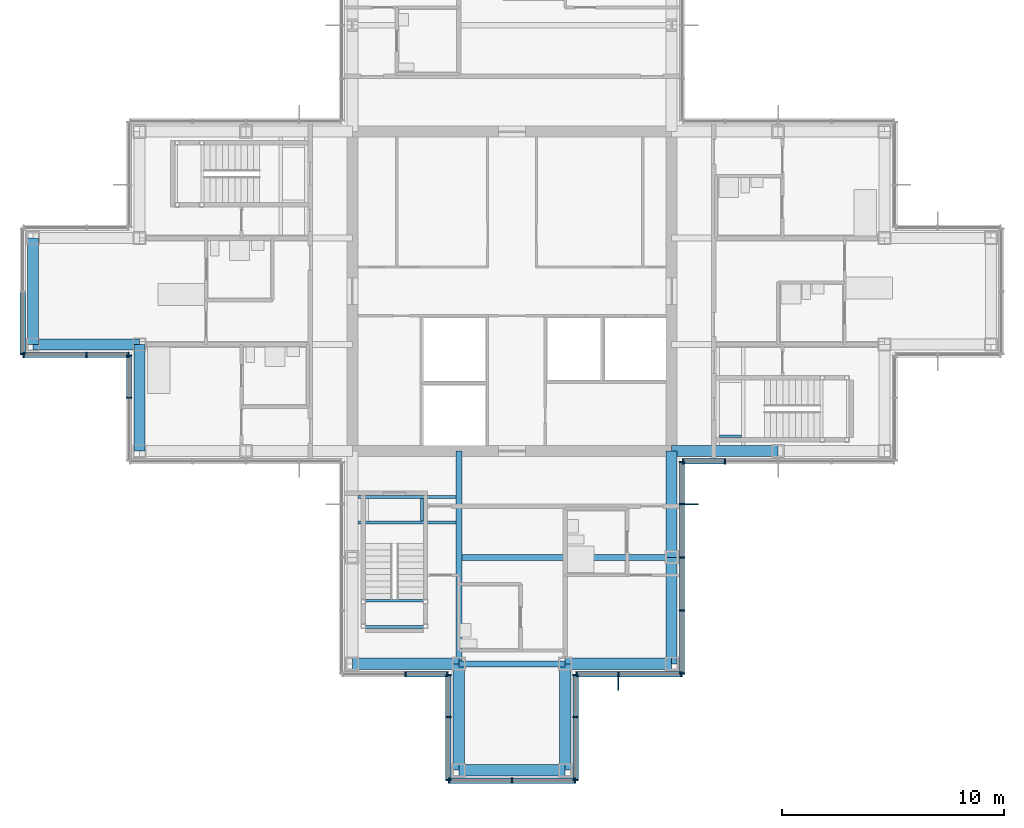
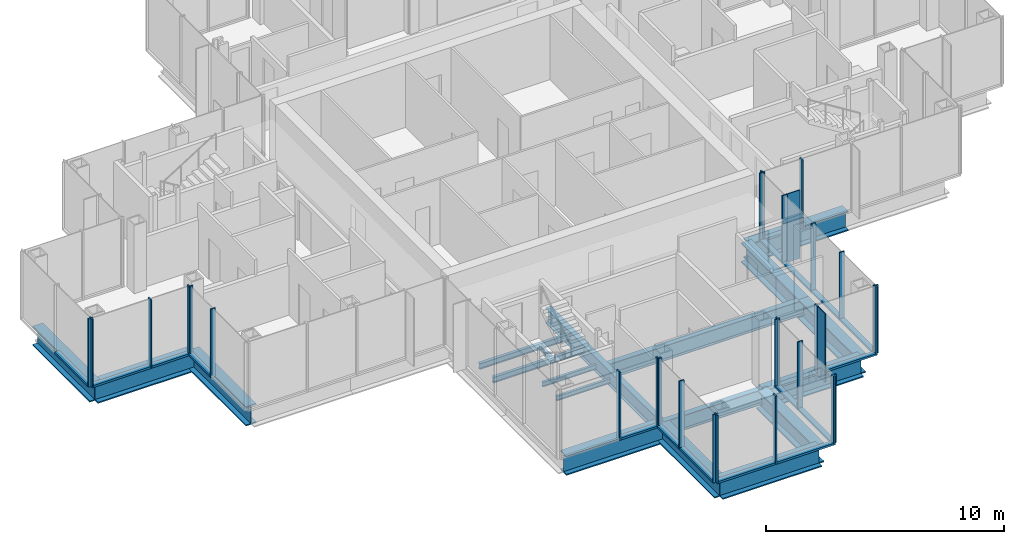
# One storey, part 6 of 17: 47 members, 20 beams, 10 elements without a shape of their own.
"""IFC4 building model written with IfcOpenShell, lengths in metres."""

from ifc_helpers import new_model, si_unit, direction, frame, origin, origin_2d, place, context, subcontext, project, spatial, rectangle, i_section, extrude, material, material_profile, profile_set, type_object, element, aggregate, save


model = new_model("IFC4")

# Units and contexts
model_context = context("Model", 3, precision=1e-05, world=origin(), true_north=direction((0.0, 1.0)))
body_context = subcontext(model_context, "Body", "Model", "MODEL_VIEW")
ifc_project = project(units=[si_unit("LENGTHUNIT", "METRE"), si_unit("AREAUNIT", "SQUARE_METRE"), si_unit("VOLUMEUNIT", "CUBIC_METRE"), si_unit("PLANEANGLEUNIT", "RADIAN"), si_unit("MASSUNIT", "GRAM", prefix="KILO")], contexts=[model_context])

# Site, building, storey
site_placement = place(None, origin())
site = spatial("IfcSite", under=ifc_project, at=site_placement, CompositionType="ELEMENT")
building_placement = place(site_placement, origin())
building = spatial("IfcBuilding", under=site, at=building_placement, Name="Kvirike Care Tower", CompositionType="ELEMENT")
storey_placement = place(building_placement, frame((0.0, 0.0, 169.0)))
storey = spatial("IfcBuildingStorey", under=building, at=storey_placement, Name="L46", CompositionType="ELEMENT", Elevation=169.0)

# Curtain wall, member
ifc_material_1 = material(Name="Anodised aluminium stick system", Category="aluminium")
curtain_wall_type = type_object("IfcCurtainWallType", Name="CW-C STICK CURTAIN WALL", PredefinedType="NOTDEFINED", material=ifc_material_1)
curtain_wall_1_placement = place(storey_placement, origin())
curtain_wall_1 = element("IfcCurtainWall", 1, at=curtain_wall_1_placement, inside=storey, type_object=curtain_wall_type, Name="Curtain wall L46 face 27", PredefinedType="NOTDEFINED")
ifc_material_2 = material(Name="Bronze anodised aluminium fin", Category="aluminium")
ifc_material_profile_1 = material_profile(ifc_material_2, rectangle(XDim=0.050048828125, YDim=0.60009765625, at=origin_2d()), Name="BRONZE FIN 600")
ifc_profile_set_1 = profile_set([ifc_material_profile_1], Name="Bronze anodised aluminium fin")
member_type_1 = type_object("IfcMemberType", Name="BRONZE FIN 600", PredefinedType="USERDEFINED", material=ifc_profile_set_1)
member_1_placement = place(storey_placement, frame((26.39990234375, 18.31005859375, 0.0), z_axis=(0.0, 0.0, 1.0), x_axis=(1.0, 0.0, 0.0)))
member_1 = element("IfcMember", 2, at=member_1_placement, type_object=member_type_1, Name="Bronze fin L46 face 27.2", ObjectType="FIN", PredefinedType="USERDEFINED", context=body_context, shape_type="SweptSolid", body=[
    extrude(rectangle(XDim=0.050048828125, YDim=0.60009765625, at=origin_2d()), origin(), (0.0, 0.0, 1.0), 3.5),
])

curtain_wall_2_placement = place(storey_placement, origin())
curtain_wall_2 = element("IfcCurtainWall", 3, at=curtain_wall_2_placement, inside=storey, type_object=curtain_wall_type, Name="Curtain wall L46 face 28", PredefinedType="NOTDEFINED")
member_2_placement = place(storey_placement, frame((29.68994140625, 26.39990234375, 0.0), z_axis=(0.0, 0.0, 1.0), x_axis=(0.0, 1.0, 0.0)))
member_2 = element("IfcMember", 4, at=member_2_placement, type_object=member_type_1, Name="Bronze fin L46 face 28.4", ObjectType="FIN", PredefinedType="USERDEFINED", context=body_context, shape_type="SweptSolid", body=[
    extrude(rectangle(XDim=0.050048828125, YDim=0.60009765625, at=origin_2d()), origin(), (0.0, 0.0, 1.0), 3.5),
])

# Curtain wall, members
curtain_wall_3_placement = place(storey_placement, origin())
curtain_wall_3 = element("IfcCurtainWall", 5, at=curtain_wall_3_placement, inside=storey, type_object=curtain_wall_type, Name="Curtain wall L46 face 1", PredefinedType="NOTDEFINED")
ifc_material_3 = material(Name="Bronze anodised aluminium mullion", Category="aluminium")
ifc_material_profile_2 = material_profile(ifc_material_3, rectangle(XDim=0.06494140625, YDim=0.239990234375, at=origin_2d()), Name="CW-C MULLION 65x240")
ifc_profile_set_2 = profile_set([ifc_material_profile_2], Name="Bronze anodised aluminium mullion")
member_type_2 = type_object("IfcMemberType", Name="CW-C MULLION 65x240", PredefinedType="MULLION", material=ifc_profile_set_2)
member_3_placement = place(storey_placement, frame((29.302490234375, 28.330078125, 0.0), z_axis=(0.0, 0.0, 1.0), x_axis=(1.0, 0.0, 0.0)))
member_3 = element("IfcMember", 6, at=member_3_placement, type_object=member_type_2, Name="CW-C mullion L46 face 1.1", PredefinedType="MULLION", context=body_context, shape_type="SweptSolid", body=[
    extrude(rectangle(XDim=0.06494140625, YDim=0.239990234375, at=origin_2d()), origin(), (0.0, 0.0, 1.0), 3.5),
])
member_4_placement = place(storey_placement, frame((31.199951171875, 28.330078125, 0.0), z_axis=(0.0, 0.0, 1.0), x_axis=(1.0, 0.0, 0.0)))
member_4 = element("IfcMember", 7, at=member_4_placement, type_object=member_type_2, Name="CW-C mullion L46 face 1.2", PredefinedType="MULLION", context=body_context, shape_type="SweptSolid", body=[
    extrude(rectangle(XDim=0.06494140625, YDim=0.239990234375, at=origin_2d()), origin(), (0.0, 0.0, 1.0), 3.5),
])

# Curtain wall, member
curtain_wall_4_placement = place(storey_placement, origin())
curtain_wall_4 = element("IfcCurtainWall", 8, at=curtain_wall_4_placement, inside=storey, type_object=curtain_wall_type, Name="Curtain wall L46 face 18", PredefinedType="NOTDEFINED")
member_5_placement = place(storey_placement, frame((-0.469970703125, 33.16259765625, 0.0), z_axis=(0.0, 0.0, 1.0), x_axis=(0.0, -1.0, 0.0)))
member_5 = element("IfcMember", 9, at=member_5_placement, type_object=member_type_2, Name="CW-C mullion L46 face 18.3", PredefinedType="MULLION", context=body_context, shape_type="SweptSolid", body=[
    extrude(rectangle(XDim=0.06494140625, YDim=0.239990234375, at=origin_2d()), origin(), (0.0, 0.0, 1.0), 3.5),
])

# Curtain wall, members
curtain_wall_5_placement = place(storey_placement, origin())
curtain_wall_5 = element("IfcCurtainWall", 10, at=curtain_wall_5_placement, inside=storey, type_object=curtain_wall_type, Name="Curtain wall L46 face 19", PredefinedType="NOTDEFINED")
member_6_placement = place(storey_placement, frame((-0.4375, 33.1298828125, 0.0), z_axis=(0.0, 0.0, 1.0), x_axis=(1.0, 0.0, 0.0)))
member_6 = element("IfcMember", 11, at=member_6_placement, type_object=member_type_2, Name="CW-C mullion L46 face 19.1", PredefinedType="MULLION", context=body_context, shape_type="SweptSolid", body=[
    extrude(rectangle(XDim=0.06494140625, YDim=0.239990234375, at=origin_2d()), origin(), (0.0, 0.0, 1.0), 3.5),
])
member_7_placement = place(storey_placement, frame((2.39990234375, 33.1298828125, 0.0), z_axis=(0.0, 0.0, 1.0), x_axis=(1.0, 0.0, 0.0)))
member_7 = element("IfcMember", 12, at=member_7_placement, type_object=member_type_2, Name="CW-C mullion L46 face 19.2", PredefinedType="MULLION", context=body_context, shape_type="SweptSolid", body=[
    extrude(rectangle(XDim=0.06494140625, YDim=0.239990234375, at=origin_2d()), origin(), (0.0, 0.0, 1.0), 3.5),
])
member_8_placement = place(storey_placement, frame((4.297607421875, 33.1298828125, 0.0), z_axis=(0.0, 0.0, 1.0), x_axis=(1.0, 0.0, 0.0)))
member_8 = element("IfcMember", 13, at=member_8_placement, type_object=member_type_2, Name="CW-C mullion L46 face 19.3", PredefinedType="MULLION", context=body_context, shape_type="SweptSolid", body=[
    extrude(rectangle(XDim=0.06494140625, YDim=0.239990234375, at=origin_2d()), origin(), (0.0, 0.0, 1.0), 3.5),
])

curtain_wall_6_placement = place(storey_placement, origin())
curtain_wall_6 = element("IfcCurtainWall", 14, at=curtain_wall_6_placement, inside=storey, type_object=curtain_wall_type, Name="Curtain wall L46 face 20", PredefinedType="NOTDEFINED")
member_9_placement = place(storey_placement, frame((4.330078125, 33.097412109375, 0.0), z_axis=(0.0, 0.0, 1.0), x_axis=(0.0, -1.0, 0.0)))
member_9 = element("IfcMember", 15, at=member_9_placement, type_object=member_type_2, Name="CW-C mullion L46 face 20.1", PredefinedType="MULLION", context=body_context, shape_type="SweptSolid", body=[
    extrude(rectangle(XDim=0.06494140625, YDim=0.239990234375, at=origin_2d()), origin(), (0.0, 0.0, 1.0), 3.5),
])
member_10_placement = place(storey_placement, frame((4.330078125, 31.199951171875, 0.0), z_axis=(0.0, 0.0, 1.0), x_axis=(0.0, -1.0, 0.0)))
member_10 = element("IfcMember", 16, at=member_10_placement, type_object=member_type_2, Name="CW-C mullion L46 face 20.2", PredefinedType="MULLION", context=body_context, shape_type="SweptSolid", body=[
    extrude(rectangle(XDim=0.06494140625, YDim=0.239990234375, at=origin_2d()), origin(), (0.0, 0.0, 1.0), 3.5),
])

curtain_wall_7_placement = place(storey_placement, origin())
curtain_wall_7 = element("IfcCurtainWall", 17, at=curtain_wall_7_placement, inside=storey, type_object=curtain_wall_type, Name="Curtain wall L46 face 23", PredefinedType="NOTDEFINED")
member_11_placement = place(storey_placement, frame((16.800048828125, 18.72998046875, 0.0), z_axis=(0.0, 0.0, 1.0), x_axis=(1.0, 0.0, 0.0)))
member_11 = element("IfcMember", 18, at=member_11_placement, type_object=member_type_2, Name="CW-C mullion L46 face 23.2", PredefinedType="MULLION", context=body_context, shape_type="SweptSolid", body=[
    extrude(rectangle(XDim=0.06494140625, YDim=0.239990234375, at=origin_2d()), origin(), (0.0, 0.0, 1.0), 3.5),
])
member_12_placement = place(storey_placement, frame((18.697509765625, 18.72998046875, 0.0), z_axis=(0.0, 0.0, 1.0), x_axis=(1.0, 0.0, 0.0)))
member_12 = element("IfcMember", 19, at=member_12_placement, type_object=member_type_2, Name="CW-C mullion L46 face 23.3", PredefinedType="MULLION", context=body_context, shape_type="SweptSolid", body=[
    extrude(rectangle(XDim=0.06494140625, YDim=0.239990234375, at=origin_2d()), origin(), (0.0, 0.0, 1.0), 3.5),
])

curtain_wall_8_placement = place(storey_placement, origin())
curtain_wall_8 = element("IfcCurtainWall", 20, at=curtain_wall_8_placement, inside=storey, type_object=curtain_wall_type, Name="Curtain wall L46 face 24", PredefinedType="NOTDEFINED")
member_13_placement = place(storey_placement, frame((18.72998046875, 18.697509765625, 0.0), z_axis=(0.0, 0.0, 1.0), x_axis=(0.0, -1.0, 0.0)))
member_13 = element("IfcMember", 21, at=member_13_placement, type_object=member_type_2, Name="CW-C mullion L46 face 24.1", PredefinedType="MULLION", context=body_context, shape_type="SweptSolid", body=[
    extrude(rectangle(XDim=0.06494140625, YDim=0.239990234375, at=origin_2d()), origin(), (0.0, 0.0, 1.0), 3.5),
])
member_14_placement = place(storey_placement, frame((18.72998046875, 16.800048828125, 0.0), z_axis=(0.0, 0.0, 1.0), x_axis=(0.0, -1.0, 0.0)))
member_14 = element("IfcMember", 22, at=member_14_placement, type_object=member_type_2, Name="CW-C mullion L46 face 24.2", PredefinedType="MULLION", context=body_context, shape_type="SweptSolid", body=[
    extrude(rectangle(XDim=0.06494140625, YDim=0.239990234375, at=origin_2d()), origin(), (0.0, 0.0, 1.0), 3.5),
])
member_15_placement = place(storey_placement, frame((18.72998046875, 13.96240234375, 0.0), z_axis=(0.0, 0.0, 1.0), x_axis=(0.0, -1.0, 0.0)))
member_15 = element("IfcMember", 23, at=member_15_placement, type_object=member_type_2, Name="CW-C mullion L46 face 24.3", PredefinedType="MULLION", context=body_context, shape_type="SweptSolid", body=[
    extrude(rectangle(XDim=0.06494140625, YDim=0.239990234375, at=origin_2d()), origin(), (0.0, 0.0, 1.0), 3.5),
])

curtain_wall_9_placement = place(storey_placement, origin())
curtain_wall_9 = element("IfcCurtainWall", 24, at=curtain_wall_9_placement, inside=storey, type_object=curtain_wall_type, Name="Curtain wall L46 face 25", PredefinedType="NOTDEFINED")
member_16_placement = place(storey_placement, frame((18.762451171875, 13.929931640625, 0.0), z_axis=(0.0, 0.0, 1.0), x_axis=(1.0, 0.0, 0.0)))
member_16 = element("IfcMember", 25, at=member_16_placement, type_object=member_type_2, Name="CW-C mullion L46 face 25.1", PredefinedType="MULLION", context=body_context, shape_type="SweptSolid", body=[
    extrude(rectangle(XDim=0.06494140625, YDim=0.239990234375, at=origin_2d()), origin(), (0.0, 0.0, 1.0), 3.5),
])
member_17_placement = place(storey_placement, frame((21.60009765625, 13.929931640625, 0.0), z_axis=(0.0, 0.0, 1.0), x_axis=(1.0, 0.0, 0.0)))
member_17 = element("IfcMember", 26, at=member_17_placement, type_object=member_type_2, Name="CW-C mullion L46 face 25.2", PredefinedType="MULLION", context=body_context, shape_type="SweptSolid", body=[
    extrude(rectangle(XDim=0.06494140625, YDim=0.239990234375, at=origin_2d()), origin(), (0.0, 0.0, 1.0), 3.5),
])
member_18_placement = place(storey_placement, frame((24.4375, 13.929931640625, 0.0), z_axis=(0.0, 0.0, 1.0), x_axis=(1.0, 0.0, 0.0)))
member_18 = element("IfcMember", 27, at=member_18_placement, type_object=member_type_2, Name="CW-C mullion L46 face 25.3", PredefinedType="MULLION", context=body_context, shape_type="SweptSolid", body=[
    extrude(rectangle(XDim=0.06494140625, YDim=0.239990234375, at=origin_2d()), origin(), (0.0, 0.0, 1.0), 3.5),
])

curtain_wall_10_placement = place(storey_placement, origin())
curtain_wall_10 = element("IfcCurtainWall", 28, at=curtain_wall_10_placement, inside=storey, type_object=curtain_wall_type, Name="Curtain wall L46 face 26", PredefinedType="NOTDEFINED")
member_19_placement = place(storey_placement, frame((24.469970703125, 13.96240234375, 0.0), z_axis=(0.0, 0.0, 1.0), x_axis=(0.0, 1.0, 0.0)))
member_19 = element("IfcMember", 29, at=member_19_placement, type_object=member_type_2, Name="CW-C mullion L46 face 26.1", PredefinedType="MULLION", context=body_context, shape_type="SweptSolid", body=[
    extrude(rectangle(XDim=0.06494140625, YDim=0.239990234375, at=origin_2d()), origin(), (0.0, 0.0, 1.0), 3.5),
])
member_20_placement = place(storey_placement, frame((24.469970703125, 16.800048828125, 0.0), z_axis=(0.0, 0.0, 1.0), x_axis=(0.0, 1.0, 0.0)))
member_20 = element("IfcMember", 30, at=member_20_placement, type_object=member_type_2, Name="CW-C mullion L46 face 26.2", PredefinedType="MULLION", context=body_context, shape_type="SweptSolid", body=[
    extrude(rectangle(XDim=0.06494140625, YDim=0.239990234375, at=origin_2d()), origin(), (0.0, 0.0, 1.0), 3.5),
])
member_21_placement = place(storey_placement, frame((24.469970703125, 18.697509765625, 0.0), z_axis=(0.0, 0.0, 1.0), x_axis=(0.0, 1.0, 0.0)))
member_21 = element("IfcMember", 31, at=member_21_placement, type_object=member_type_2, Name="CW-C mullion L46 face 26.3", PredefinedType="MULLION", context=body_context, shape_type="SweptSolid", body=[
    extrude(rectangle(XDim=0.06494140625, YDim=0.239990234375, at=origin_2d()), origin(), (0.0, 0.0, 1.0), 3.5),
])

# Member
member_22_placement = place(storey_placement, frame((24.50244140625, 18.72998046875, 0.0), z_axis=(0.0, 0.0, 1.0), x_axis=(1.0, 0.0, 0.0)))
member_22 = element("IfcMember", 32, at=member_22_placement, type_object=member_type_2, Name="CW-C mullion L46 face 27.1", PredefinedType="MULLION", context=body_context, shape_type="SweptSolid", body=[
    extrude(rectangle(XDim=0.06494140625, YDim=0.239990234375, at=origin_2d()), origin(), (0.0, 0.0, 1.0), 3.5),
])

member_23_placement = place(storey_placement, frame((26.39990234375, 18.72998046875, 0.0), z_axis=(0.0, 0.0, 1.0), x_axis=(1.0, 0.0, 0.0)))
member_23 = element("IfcMember", 33, at=member_23_placement, type_object=member_type_2, Name="CW-C mullion L46 face 27.2", PredefinedType="MULLION", context=body_context, shape_type="SweptSolid", body=[
    extrude(rectangle(XDim=0.06494140625, YDim=0.239990234375, at=origin_2d()), origin(), (0.0, 0.0, 1.0), 3.5),
])

member_24_placement = place(storey_placement, frame((29.237548828125, 18.72998046875, 0.0), z_axis=(0.0, 0.0, 1.0), x_axis=(1.0, 0.0, 0.0)))
member_24 = element("IfcMember", 34, at=member_24_placement, type_object=member_type_2, Name="CW-C mullion L46 face 27.3", PredefinedType="MULLION", context=body_context, shape_type="SweptSolid", body=[
    extrude(rectangle(XDim=0.06494140625, YDim=0.239990234375, at=origin_2d()), origin(), (0.0, 0.0, 1.0), 3.5),
])

member_25_placement = place(storey_placement, frame((29.27001953125, 18.762451171875, 0.0), z_axis=(0.0, 0.0, 1.0), x_axis=(0.0, 1.0, 0.0)))
member_25 = element("IfcMember", 35, at=member_25_placement, type_object=member_type_2, Name="CW-C mullion L46 face 28.1", PredefinedType="MULLION", context=body_context, shape_type="SweptSolid", body=[
    extrude(rectangle(XDim=0.06494140625, YDim=0.239990234375, at=origin_2d()), origin(), (0.0, 0.0, 1.0), 3.5),
])

member_26_placement = place(storey_placement, frame((29.27001953125, 21.60009765625, 0.0), z_axis=(0.0, 0.0, 1.0), x_axis=(0.0, 1.0, 0.0)))
member_26 = element("IfcMember", 36, at=member_26_placement, type_object=member_type_2, Name="CW-C mullion L46 face 28.2", PredefinedType="MULLION", context=body_context, shape_type="SweptSolid", body=[
    extrude(rectangle(XDim=0.06494140625, YDim=0.239990234375, at=origin_2d()), origin(), (0.0, 0.0, 1.0), 3.5),
])

member_27_placement = place(storey_placement, frame((29.27001953125, 24.0, 0.0), z_axis=(0.0, 0.0, 1.0), x_axis=(0.0, 1.0, 0.0)))
member_27 = element("IfcMember", 37, at=member_27_placement, type_object=member_type_2, Name="CW-C mullion L46 face 28.3", PredefinedType="MULLION", context=body_context, shape_type="SweptSolid", body=[
    extrude(rectangle(XDim=0.06494140625, YDim=0.239990234375, at=origin_2d()), origin(), (0.0, 0.0, 1.0), 3.5),
])

member_28_placement = place(storey_placement, frame((29.27001953125, 26.39990234375, 0.0), z_axis=(0.0, 0.0, 1.0), x_axis=(0.0, 1.0, 0.0)))
member_28 = element("IfcMember", 38, at=member_28_placement, type_object=member_type_2, Name="CW-C mullion L46 face 28.4", PredefinedType="MULLION", context=body_context, shape_type="SweptSolid", body=[
    extrude(rectangle(XDim=0.06494140625, YDim=0.239990234375, at=origin_2d()), origin(), (0.0, 0.0, 1.0), 3.5),
])

member_29_placement = place(storey_placement, frame((29.27001953125, 28.297607421875, 0.0), z_axis=(0.0, 0.0, 1.0), x_axis=(0.0, 1.0, 0.0)))
member_29 = element("IfcMember", 39, at=member_29_placement, type_object=member_type_2, Name="CW-C mullion L46 face 28.5", PredefinedType="MULLION", context=body_context, shape_type="SweptSolid", body=[
    extrude(rectangle(XDim=0.06494140625, YDim=0.239990234375, at=origin_2d()), origin(), (0.0, 0.0, 1.0), 3.5),
])

ifc_material_4 = material(Name="Bronze anodised aluminium transom", Category="aluminium")
ifc_material_profile_3 = material_profile(ifc_material_4, rectangle(XDim=0.239990234375, YDim=0.10009765625, at=origin_2d()), Name="CW-C TRANSOM 240x100")
ifc_profile_set_3 = profile_set([ifc_material_profile_3], Name="Bronze anodised aluminium transom")
member_type_3 = type_object("IfcMemberType", Name="CW-C TRANSOM 240x100", PredefinedType="USERDEFINED", material=ifc_profile_set_3)
member_30_placement = place(storey_placement, frame((29.3349609375, 28.330078125, 0.050048828125), z_axis=(1.0, 0.0, 0.0), x_axis=(0.0, 1.0, 0.0)))
member_30 = element("IfcMember", 40, at=member_30_placement, type_object=member_type_3, Name="CW-C sill transom L46 face 1.1", ObjectType="TRANSOM", PredefinedType="USERDEFINED", context=body_context, shape_type="SweptSolid", body=[
    extrude(rectangle(XDim=0.239990234375, YDim=0.10009765625, at=origin_2d()), origin(), (0.0, 0.0, 1.0), 1.83251953125),
])

aggregate(curtain_wall_3, [member_3, member_4, member_30])

member_31_placement = place(storey_placement, frame((-0.469970703125, 35.967529296875, 0.050048828125), z_axis=(0.0, -1.0, 0.0), x_axis=(1.0, 0.0, 0.0)))
member_31 = element("IfcMember", 41, at=member_31_placement, type_object=member_type_3, Name="CW-C sill transom L46 face 18.2", ObjectType="TRANSOM", PredefinedType="USERDEFINED", context=body_context, shape_type="SweptSolid", body=[
    extrude(rectangle(XDim=0.239990234375, YDim=0.10009765625, at=origin_2d()), origin(), (0.0, 0.0, 1.0), 2.7724609375),
])

aggregate(curtain_wall_4, [member_5, member_31])

member_32_placement = place(storey_placement, frame((-0.405029296875, 33.1298828125, 0.050048828125), z_axis=(1.0, 0.0, 0.0), x_axis=(0.0, 1.0, 0.0)))
member_32 = element("IfcMember", 42, at=member_32_placement, type_object=member_type_3, Name="CW-C sill transom L46 face 19.1", ObjectType="TRANSOM", PredefinedType="USERDEFINED", context=body_context, shape_type="SweptSolid", body=[
    extrude(rectangle(XDim=0.239990234375, YDim=0.10009765625, at=origin_2d()), origin(), (0.0, 0.0, 1.0), 2.7724609375),
])

member_33_placement = place(storey_placement, frame((2.4326171875, 33.1298828125, 0.050048828125), z_axis=(1.0, 0.0, 0.0), x_axis=(0.0, 1.0, 0.0)))
member_33 = element("IfcMember", 43, at=member_33_placement, type_object=member_type_3, Name="CW-C sill transom L46 face 19.2", ObjectType="TRANSOM", PredefinedType="USERDEFINED", context=body_context, shape_type="SweptSolid", body=[
    extrude(rectangle(XDim=0.239990234375, YDim=0.10009765625, at=origin_2d()), origin(), (0.0, 0.0, 1.0), 1.832275390625),
])

aggregate(curtain_wall_5, [member_6, member_7, member_8, member_32, member_33])

member_34_placement = place(storey_placement, frame((4.330078125, 33.06494140625, 0.050048828125), z_axis=(0.0, -1.0, 0.0), x_axis=(1.0, 0.0, 0.0)))
member_34 = element("IfcMember", 44, at=member_34_placement, type_object=member_type_3, Name="CW-C sill transom L46 face 20.1", ObjectType="TRANSOM", PredefinedType="USERDEFINED", context=body_context, shape_type="SweptSolid", body=[
    extrude(rectangle(XDim=0.239990234375, YDim=0.10009765625, at=origin_2d()), origin(), (0.0, 0.0, 1.0), 1.83251953125),
])

aggregate(curtain_wall_6, [member_9, member_10, member_34])

member_35_placement = place(storey_placement, frame((16.83251953125, 18.72998046875, 0.050048828125), z_axis=(1.0, 0.0, 0.0), x_axis=(0.0, 1.0, 0.0)))
member_35 = element("IfcMember", 45, at=member_35_placement, type_object=member_type_3, Name="CW-C sill transom L46 face 23.2", ObjectType="TRANSOM", PredefinedType="USERDEFINED", context=body_context, shape_type="SweptSolid", body=[
    extrude(rectangle(XDim=0.239990234375, YDim=0.10009765625, at=origin_2d()), origin(), (0.0, 0.0, 1.0), 1.83251953125),
])

aggregate(curtain_wall_7, [member_11, member_12, member_35])

member_36_placement = place(storey_placement, frame((18.72998046875, 18.6650390625, 0.050048828125), z_axis=(0.0, -1.0, 0.0), x_axis=(1.0, 0.0, 0.0)))
member_36 = element("IfcMember", 46, at=member_36_placement, type_object=member_type_3, Name="CW-C sill transom L46 face 24.1", ObjectType="TRANSOM", PredefinedType="USERDEFINED", context=body_context, shape_type="SweptSolid", body=[
    extrude(rectangle(XDim=0.239990234375, YDim=0.10009765625, at=origin_2d()), origin(), (0.0, 0.0, 1.0), 1.83251953125),
])

member_37_placement = place(storey_placement, frame((18.72998046875, 16.767578125, 0.050048828125), z_axis=(0.0, -1.0, 0.0), x_axis=(1.0, 0.0, 0.0)))
member_37 = element("IfcMember", 47, at=member_37_placement, type_object=member_type_3, Name="CW-C sill transom L46 face 24.2", ObjectType="TRANSOM", PredefinedType="USERDEFINED", context=body_context, shape_type="SweptSolid", body=[
    extrude(rectangle(XDim=0.239990234375, YDim=0.10009765625, at=origin_2d()), origin(), (0.0, 0.0, 1.0), 2.7724609375),
])

aggregate(curtain_wall_8, [member_13, member_14, member_15, member_36, member_37])

member_38_placement = place(storey_placement, frame((18.794921875, 13.929931640625, 0.050048828125), z_axis=(1.0, 0.0, 0.0), x_axis=(0.0, 1.0, 0.0)))
member_38 = element("IfcMember", 48, at=member_38_placement, type_object=member_type_3, Name="CW-C sill transom L46 face 25.1", ObjectType="TRANSOM", PredefinedType="USERDEFINED", context=body_context, shape_type="SweptSolid", body=[
    extrude(rectangle(XDim=0.239990234375, YDim=0.10009765625, at=origin_2d()), origin(), (0.0, 0.0, 1.0), 2.7724609375),
])

member_39_placement = place(storey_placement, frame((21.632568359375, 13.929931640625, 0.050048828125), z_axis=(1.0, 0.0, 0.0), x_axis=(0.0, 1.0, 0.0)))
member_39 = element("IfcMember", 49, at=member_39_placement, type_object=member_type_3, Name="CW-C sill transom L46 face 25.2", ObjectType="TRANSOM", PredefinedType="USERDEFINED", context=body_context, shape_type="SweptSolid", body=[
    extrude(rectangle(XDim=0.239990234375, YDim=0.10009765625, at=origin_2d()), origin(), (0.0, 0.0, 1.0), 2.7724609375),
])

aggregate(curtain_wall_9, [member_16, member_17, member_18, member_38, member_39])

member_40_placement = place(storey_placement, frame((24.469970703125, 13.9951171875, 0.050048828125), z_axis=(0.0, 1.0, 0.0), x_axis=(-1.0, 0.0, 0.0)))
member_40 = element("IfcMember", 50, at=member_40_placement, type_object=member_type_3, Name="CW-C sill transom L46 face 26.1", ObjectType="TRANSOM", PredefinedType="USERDEFINED", context=body_context, shape_type="SweptSolid", body=[
    extrude(rectangle(XDim=0.239990234375, YDim=0.10009765625, at=origin_2d()), origin(), (0.0, 0.0, 1.0), 2.7724609375),
])

member_41_placement = place(storey_placement, frame((24.469970703125, 16.83251953125, 0.050048828125), z_axis=(0.0, 1.0, 0.0), x_axis=(-1.0, 0.0, 0.0)))
member_41 = element("IfcMember", 51, at=member_41_placement, type_object=member_type_3, Name="CW-C sill transom L46 face 26.2", ObjectType="TRANSOM", PredefinedType="USERDEFINED", context=body_context, shape_type="SweptSolid", body=[
    extrude(rectangle(XDim=0.239990234375, YDim=0.10009765625, at=origin_2d()), origin(), (0.0, 0.0, 1.0), 1.83251953125),
])

aggregate(curtain_wall_10, [member_19, member_20, member_21, member_40, member_41])

member_42_placement = place(storey_placement, frame((24.534912109375, 18.72998046875, 0.050048828125), z_axis=(1.0, 0.0, 0.0), x_axis=(0.0, 1.0, 0.0)))
member_42 = element("IfcMember", 52, at=member_42_placement, type_object=member_type_3, Name="CW-C sill transom L46 face 27.1", ObjectType="TRANSOM", PredefinedType="USERDEFINED", context=body_context, shape_type="SweptSolid", body=[
    extrude(rectangle(XDim=0.239990234375, YDim=0.10009765625, at=origin_2d()), origin(), (0.0, 0.0, 1.0), 1.83251953125),
])

member_43_placement = place(storey_placement, frame((26.4326171875, 18.72998046875, 0.050048828125), z_axis=(1.0, 0.0, 0.0), x_axis=(0.0, 1.0, 0.0)))
member_43 = element("IfcMember", 53, at=member_43_placement, type_object=member_type_3, Name="CW-C sill transom L46 face 27.2", ObjectType="TRANSOM", PredefinedType="USERDEFINED", context=body_context, shape_type="SweptSolid", body=[
    extrude(rectangle(XDim=0.239990234375, YDim=0.10009765625, at=origin_2d()), origin(), (0.0, 0.0, 1.0), 2.7724609375),
])

aggregate(curtain_wall_1, [member_22, member_23, member_1, member_24, member_42, member_43])

member_44_placement = place(storey_placement, frame((29.27001953125, 18.794921875, 0.050048828125), z_axis=(0.0, 1.0, 0.0), x_axis=(-1.0, 0.0, 0.0)))
member_44 = element("IfcMember", 54, at=member_44_placement, type_object=member_type_3, Name="CW-C sill transom L46 face 28.1", ObjectType="TRANSOM", PredefinedType="USERDEFINED", context=body_context, shape_type="SweptSolid", body=[
    extrude(rectangle(XDim=0.239990234375, YDim=0.10009765625, at=origin_2d()), origin(), (0.0, 0.0, 1.0), 2.7724609375),
])

member_45_placement = place(storey_placement, frame((29.27001953125, 21.632568359375, 0.050048828125), z_axis=(0.0, 1.0, 0.0), x_axis=(-1.0, 0.0, 0.0)))
member_45 = element("IfcMember", 55, at=member_45_placement, type_object=member_type_3, Name="CW-C sill transom L46 face 28.2", ObjectType="TRANSOM", PredefinedType="USERDEFINED", context=body_context, shape_type="SweptSolid", body=[
    extrude(rectangle(XDim=0.239990234375, YDim=0.10009765625, at=origin_2d()), origin(), (0.0, 0.0, 1.0), 2.3349609375),
])

member_46_placement = place(storey_placement, frame((29.27001953125, 24.032470703125, 0.050048828125), z_axis=(0.0, 1.0, 0.0), x_axis=(-1.0, 0.0, 0.0)))
member_46 = element("IfcMember", 56, at=member_46_placement, type_object=member_type_3, Name="CW-C sill transom L46 face 28.3", ObjectType="TRANSOM", PredefinedType="USERDEFINED", context=body_context, shape_type="SweptSolid", body=[
    extrude(rectangle(XDim=0.239990234375, YDim=0.10009765625, at=origin_2d()), origin(), (0.0, 0.0, 1.0), 2.3349609375),
])

member_47_placement = place(storey_placement, frame((29.27001953125, 26.4326171875, 0.050048828125), z_axis=(0.0, 1.0, 0.0), x_axis=(-1.0, 0.0, 0.0)))
member_47 = element("IfcMember", 57, at=member_47_placement, type_object=member_type_3, Name="CW-C sill transom L46 face 28.4", ObjectType="TRANSOM", PredefinedType="USERDEFINED", context=body_context, shape_type="SweptSolid", body=[
    extrude(rectangle(XDim=0.239990234375, YDim=0.10009765625, at=origin_2d()), origin(), (0.0, 0.0, 1.0), 1.832275390625),
])

aggregate(curtain_wall_2, [member_25, member_26, member_27, member_28, member_2, member_29, member_44, member_45, member_46, member_47])

# Beams
ifc_material_5 = material(Name="Steel S355", Category="steel")
ifc_material_profile_4 = material_profile(ifc_material_5, i_section(OverallWidth=0.26806640625, OverallDepth=0.77001953125, WebThickness=0.015625, FlangeThickness=0.025390625, FilletRadius=0.01708984375, at=origin_2d()), Name="IPE 750x196")
ifc_profile_set_4 = profile_set([ifc_material_profile_4], Name="Steel S355")
beam_type_1 = type_object("IfcBeamType", Name="FLOOR BEAM IPE 750x196", PredefinedType="BEAM", material=ifc_profile_set_4)
beam_1_placement = place(storey_placement, frame((19.199951171875, 19.199951171875, -0.554931640625), z_axis=(1.0, 0.0, 0.0), x_axis=(0.0, 1.0, 0.0)))
element("IfcBeam", 58, at=beam_1_placement, inside=storey, type_object=beam_type_1, Name="Floor Beam E7-E8 L46", PredefinedType="BEAM", context=body_context, shape_type="SweptSolid", body=[
    extrude(i_section(OverallWidth=0.26806640625, OverallDepth=0.77001953125, WebThickness=0.015625, FlangeThickness=0.025390625, FilletRadius=0.01708984375, at=origin_2d()), origin(), (0.0, 0.0, 1.0), 4.800048828125),
])
for number, where, z_axis, x_axis, name in (
    (59, (19.199951171875, 24.0, -0.554931640625), (1.0, 0.0, 0.0), (0.0, 1.0, 0.0), "Floor Beam F7-F9 L46"),
    (60, (19.199951171875, 19.199951171875, -0.554931640625), (0.0, 1.0, 0.0), (-1.0, 0.0, 0.0), "Floor Beam E7-G7 L46"),
):
    element("IfcBeam", number, at=place(storey_placement, frame(where, z_axis=z_axis, x_axis=x_axis)), inside=storey, type_object=beam_type_1, Name=name, PredefinedType="BEAM", context=body_context, shape_type="SweptSolid", body=[
        extrude(i_section(OverallWidth=0.26806640625, OverallDepth=0.77001953125, WebThickness=0.015625, FlangeThickness=0.025390625, FilletRadius=0.01708984375, at=origin_2d()), origin(), (0.0, 0.0, 1.0), 9.60009765625),
    ])
ifc_material_6 = material(Name="Steel S355", Category="steel")
ifc_material_profile_5 = material_profile(ifc_material_6, i_section(OverallWidth=0.5, OverallDepth=1.0, WebThickness=0.030029296875, FlangeThickness=0.06005859375, at=origin_2d()), Name="PG 1000x500x30x60")
ifc_profile_set_5 = profile_set([ifc_material_profile_5], Name="Steel S355")
beam_type_2 = type_object("IfcBeamType", Name="SPANDREL PG 1000x500x30x60", PredefinedType="SPANDREL", material=ifc_profile_set_5)
for number, where, z_axis, x_axis, name in (
    (61, (19.199951171875, 14.39990234375, -0.669921875), (1.0, 0.0, 0.0), (0.0, 1.0, 0.0), "Spandrel D7-D8 L46"),
    (62, (14.39990234375, 19.199951171875, -0.669921875), (1.0, 0.0, 0.0), (0.0, 1.0, 0.0), "Spandrel E6-E7 L46"),
    (63, (24.0, 19.199951171875, -0.669921875), (1.0, 0.0, 0.0), (0.0, 1.0, 0.0), "Spandrel E8-E9 L46"),
    (64, (28.800048828125, 28.800048828125, -0.669921875), (1.0, 0.0, 0.0), (0.0, 1.0, 0.0), "Spandrel G9-G10 L46"),
    (65, (0.0, 33.60009765625, -0.669921875), (1.0, 0.0, 0.0), (0.0, 1.0, 0.0), "Spandrel H3-H4 L46"),
):
    element("IfcBeam", number, at=place(storey_placement, frame(where, z_axis=z_axis, x_axis=x_axis)), inside=storey, type_object=beam_type_2, Name=name, PredefinedType="SPANDREL", context=body_context, shape_type="SweptSolid", body=[
        extrude(i_section(OverallWidth=0.5, OverallDepth=1.0, WebThickness=0.030029296875, FlangeThickness=0.06005859375, at=origin_2d()), origin(), (0.0, 0.0, 1.0), 4.800048828125),
    ])
beam_2_placement = place(storey_placement, frame((0.0, 33.60009765625, -0.669921875), z_axis=(0.0, 1.0, 0.0), x_axis=(-1.0, 0.0, 0.0)))
element("IfcBeam", 66, at=beam_2_placement, inside=storey, type_object=beam_type_2, Name="Spandrel H3-J3 L46", PredefinedType="SPANDREL", context=body_context, shape_type="SweptSolid", body=[
    extrude(i_section(OverallWidth=0.5, OverallDepth=1.0, WebThickness=0.030029296875, FlangeThickness=0.06005859375, at=origin_2d()), origin(), (0.0, 0.0, 1.0), 4.7998046875),
])
for number, where, z_axis, x_axis, name in (
    (67, (4.800048828125, 28.800048828125, -0.669921875), (0.0, 1.0, 0.0), (-1.0, 0.0, 0.0), "Spandrel G4-H4 L46"),
    (68, (19.199951171875, 14.39990234375, -0.669921875), (0.0, 1.0, 0.0), (-1.0, 0.0, 0.0), "Spandrel D7-E7 L46"),
    (69, (24.0, 14.39990234375, -0.669921875), (0.0, 1.0, 0.0), (-1.0, 0.0, 0.0), "Spandrel D8-E8 L46"),
    (70, (28.800048828125, 19.199951171875, -0.669921875), (0.0, 1.0, 0.0), (-1.0, 0.0, 0.0), "Spandrel E9-F9 L46"),
    (71, (28.800048828125, 24.0, -0.669921875), (0.0, 1.0, 0.0), (-1.0, 0.0, 0.0), "Spandrel F9-G9 L46"),
):
    element("IfcBeam", number, at=place(storey_placement, frame(where, z_axis=z_axis, x_axis=x_axis)), inside=storey, type_object=beam_type_2, Name=name, PredefinedType="SPANDREL", context=body_context, shape_type="SweptSolid", body=[
        extrude(i_section(OverallWidth=0.5, OverallDepth=1.0, WebThickness=0.030029296875, FlangeThickness=0.06005859375, at=origin_2d()), origin(), (0.0, 0.0, 1.0), 4.800048828125),
    ])
ifc_material_7 = material(Name="Steel S355", Category="steel")
ifc_material_profile_6 = material_profile(ifc_material_7, i_section(OverallWidth=0.1201171875, OverallDepth=0.239990234375, WebThickness=0.006103515625, FlangeThickness=0.009765625, FilletRadius=0.014892578125, at=origin_2d()), Name="IPE 240")
ifc_profile_set_6 = profile_set([ifc_material_profile_6], Name="Steel S355")
beam_type_3 = type_object("IfcBeamType", Name="STAIR LANDING BEAM IPE 240", PredefinedType="BEAM", material=ifc_profile_set_6)
beam_3_placement = place(storey_placement, frame((31.949951171875, 29.4599609375, -0.320068359375), z_axis=(-1.0, 0.0, 0.0), x_axis=(0.0, -1.0, 0.0)))
element("IfcBeam", 72, at=beam_3_placement, inside=storey, type_object=beam_type_3, Name="Stair 2 landing edge beam 1 L46", PredefinedType="BEAM", context=body_context, shape_type="SweptSolid", body=[
    extrude(i_section(OverallWidth=0.1201171875, OverallDepth=0.239990234375, WebThickness=0.006103515625, FlangeThickness=0.009765625, FilletRadius=0.014892578125, at=origin_2d()), origin(), (0.0, 0.0, 1.0), 1.0),
])
for number, where, z_axis, x_axis, name in (
    (73, (15.0, 20.860107421875, 1.429931640625), (1.0, 0.0, 0.0), (0.0, 1.0, 0.0), "Stair 5 landing beam back L46"),
    (74, (15.0, 22.0400390625, 1.429931640625), (1.0, 0.0, 0.0), (0.0, 1.0, 0.0), "Stair 5 landing beam front L46"),
):
    element("IfcBeam", number, at=place(storey_placement, frame(where, z_axis=z_axis, x_axis=x_axis)), inside=storey, type_object=beam_type_3, Name=name, PredefinedType="BEAM", context=body_context, shape_type="SweptSolid", body=[
        extrude(i_section(OverallWidth=0.1201171875, OverallDepth=0.239990234375, WebThickness=0.006103515625, FlangeThickness=0.009765625, FilletRadius=0.014892578125, at=origin_2d()), origin(), (0.0, 0.0, 1.0), 2.60009765625),
    ])
beam_4_placement = place(storey_placement, frame((17.5400390625, 25.64990234375, -0.320068359375), z_axis=(0.0, 1.0, 0.0), x_axis=(-1.0, 0.0, 0.0)))
element("IfcBeam", 75, at=beam_4_placement, inside=storey, type_object=beam_type_3, Name="Stair 5 landing edge beam 2 L46", PredefinedType="BEAM", context=body_context, shape_type="SweptSolid", body=[
    extrude(i_section(OverallWidth=0.1201171875, OverallDepth=0.239990234375, WebThickness=0.006103515625, FlangeThickness=0.009765625, FilletRadius=0.014892578125, at=origin_2d()), origin(), (0.0, 0.0, 1.0), 1.0),
])
ifc_material_8 = material(Name="Steel S355", Category="steel")
ifc_material_profile_7 = material_profile(ifc_material_8, i_section(OverallWidth=0.14990234375, OverallDepth=0.300048828125, WebThickness=0.007080078125, FlangeThickness=0.0107421875, FilletRadius=0.014892578125, at=origin_2d()), Name="IPE 300")
ifc_profile_set_7 = profile_set([ifc_material_profile_7], Name="Steel S355")
beam_type_4 = type_object("IfcBeamType", Name="STAIR TRIMMER IPE 300", PredefinedType="BEAM", material=ifc_profile_set_7)
for number, where, z_axis, x_axis, name in (
    (76, (14.64990234375, 25.574951171875, -0.35009765625), (1.0, 0.0, 0.0), (0.0, 1.0, 0.0), "Stair 5 trimmer 1 L46"),
    (77, (14.64990234375, 26.72509765625, -0.35009765625), (1.0, 0.0, 0.0), (0.0, 1.0, 0.0), "Stair 5 trimmer 2 L46"),
):
    element("IfcBeam", number, at=place(storey_placement, frame(where, z_axis=z_axis, x_axis=x_axis)), inside=storey, type_object=beam_type_4, Name=name, PredefinedType="BEAM", context=body_context, shape_type="SweptSolid", body=[
        extrude(i_section(OverallWidth=0.14990234375, OverallDepth=0.300048828125, WebThickness=0.007080078125, FlangeThickness=0.0107421875, FilletRadius=0.014892578125, at=origin_2d()), origin(), (0.0, 0.0, 1.0), 4.416015625),
    ])

save(model, "model.ifc")
